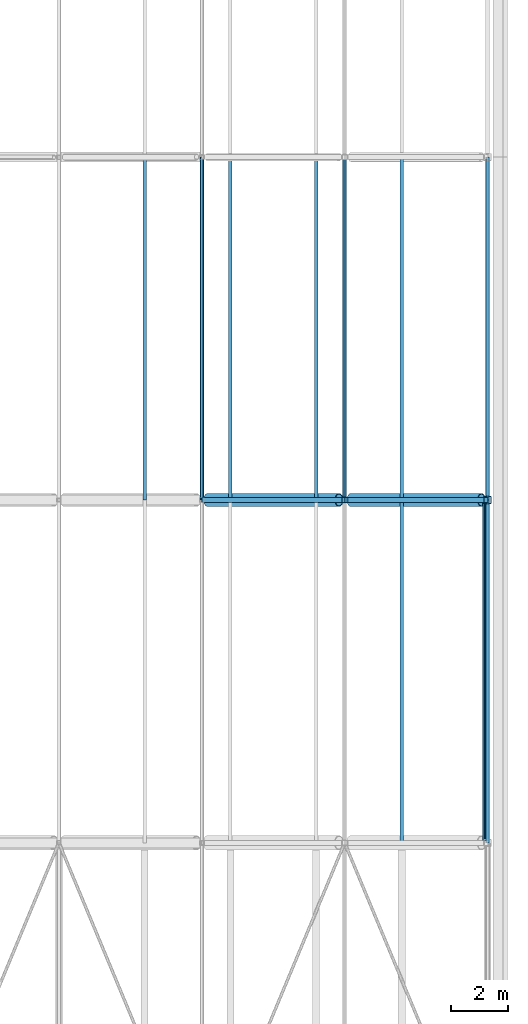
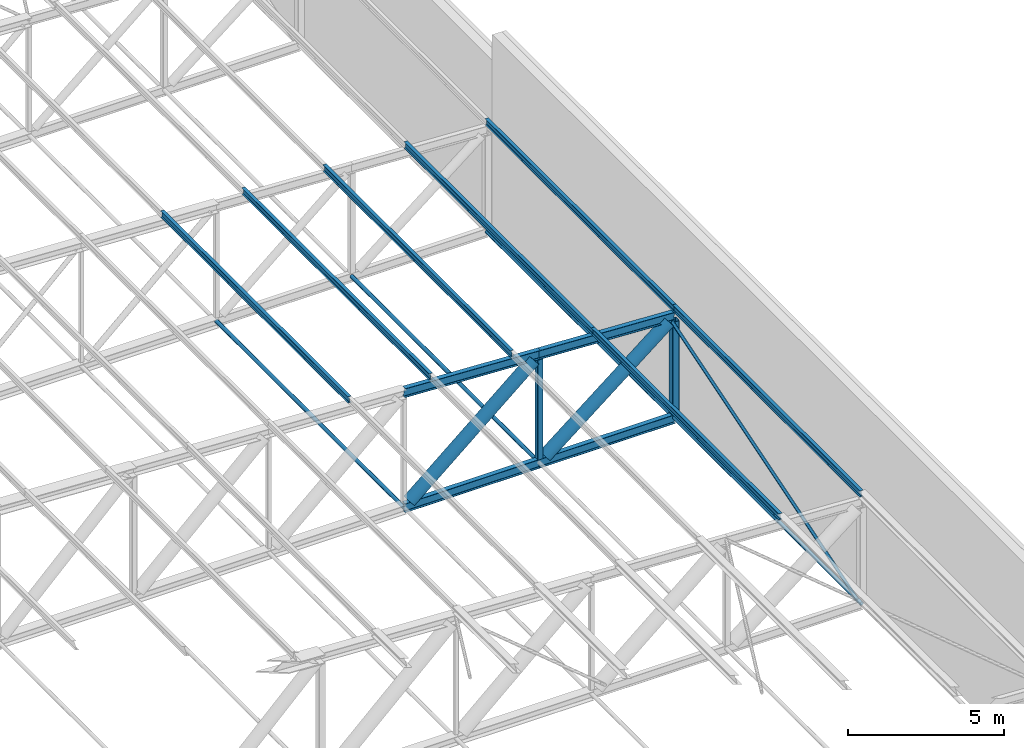
# One storey, part 87 of 156: 20 members.
"""IFC4 building model written with IfcOpenShell, lengths in metres."""

from ifc_helpers import new_model, si_unit, direction, frame, origin, origin_2d, place, context, subcontext, project, spatial, hollow_rectangle, hollow_circle, i_section, extrude, material, material_profile, profile_set, type_object, element, save


model = new_model("IFC4")

# Units and contexts
model_context = context("Model", 3, precision=1e-05, world=origin(), true_north=direction((0.0, 1.0)))
body_context = subcontext(model_context, "Body", "Model", "MODEL_VIEW")
ifc_project = project(units=[si_unit("LENGTHUNIT", "METRE"), si_unit("AREAUNIT", "SQUARE_METRE"), si_unit("VOLUMEUNIT", "CUBIC_METRE"), si_unit("PLANEANGLEUNIT", "RADIAN"), si_unit("MASSUNIT", "GRAM", prefix="KILO")], contexts=[model_context])

# Site, building, storey
site_placement = place(None, origin())
site = spatial("IfcSite", under=ifc_project, at=site_placement, CompositionType="ELEMENT")
building_placement = place(site_placement, origin())
building = spatial("IfcBuilding", under=site, at=building_placement, Name="Lilac Gate Convention Centre", CompositionType="ELEMENT")
storey_placement = place(building_placement, frame((0.0, 0.0, 17.0)))
storey = spatial("IfcBuildingStorey", under=building, at=storey_placement, Name="L03", CompositionType="ELEMENT", Elevation=17.0)

# Members
ifc_material = material(Name="Steel Q355B", Category="steel")
ifc_material_profile_1 = material_profile(ifc_material, hollow_circle(Radius=0.06982421875, WallThickness=0.0048828125, at=origin_2d()), Name="CHS139.7x5")
ifc_profile_set_1 = profile_set([ifc_material_profile_1], Name="Steel Q355B")
member_type_1 = type_object("IfcMemberType", Name="Bottom chord tie CHS139.7x5", PredefinedType="STRUT", material=ifc_profile_set_1)
for number, where, z_axis, x_axis, name in (
    (1, (90.0, 138.00341796875, 0.0), (0.0, 1.0, 0.0), (-1.0, 0.0, 0.0), "ST1 tie bay 10 node 13"),
    (2, (80.0, 150.00341796875, 0.0), (0.0, 1.0, 0.0), (-1.0, 0.0, 0.0), "ST1 tie bay 11 node 11"),
    (3, (85.0, 150.00341796875, 0.0), (0.0, 1.0, 0.0), (-1.0, 0.0, 0.0), "ST1 tie bay 11 node 12"),
    (4, (90.0, 150.00341796875, 0.0), (0.0, 1.0, 0.0), (-1.0, 0.0, 0.0), "ST1 tie bay 11 node 13"),
):
    element("IfcMember", number, at=place(storey_placement, frame(where, z_axis=z_axis, x_axis=x_axis)), inside=storey, type_object=member_type_1, Name=name, PredefinedType="STRUT", context=body_context, shape_type="SweptSolid", body=[
        extrude(hollow_circle(Radius=0.06982421875, WallThickness=0.0048828125, at=origin_2d()), origin(), (0.0, 0.0, 1.0), 11.9931640625),
    ])
ifc_material_profile_2 = material_profile(ifc_material, i_section(OverallWidth=0.125, OverallDepth=0.25, WebThickness=0.006103515625, FlangeThickness=0.009033203125, FilletRadius=0.008056640625, at=origin_2d()), Name="HN250x125x6x9")
ifc_profile_set_2 = profile_set([ifc_material_profile_2], Name="Steel Q355B")
member_type_2 = type_object("IfcMemberType", Name="Roof purlin HN250x125x6x9", PredefinedType="PURLIN", material=ifc_profile_set_2)
for number, where, z_axis, x_axis, name in (
    (5, (87.0, 138.0, 4.4501953125), (0.0, 1.0, 0.0), (-1.0, 0.0, 0.0), "PU2 purlin bay 10 line 20"),
    (6, (90.0, 138.0, 4.30029296875), (0.0, 1.0, 0.0), (-1.0, 0.0, 0.0), "PU2 purlin bay 10 line 21"),
    (7, (78.0, 150.0, 4.900146484375), (0.0, 1.0, 0.0), (-1.0, 0.0, 0.0), "PU2 purlin bay 11 line 17"),
    (8, (81.0, 150.0, 4.750244140625), (0.0, 1.0, 0.0), (-1.0, 0.0, 0.0), "PU2 purlin bay 11 line 18"),
    (9, (84.0, 150.0, 4.60009765625), (0.0, 1.0, 0.0), (-1.0, 0.0, 0.0), "PU2 purlin bay 11 line 19"),
    (10, (87.0, 150.0, 4.4501953125), (0.0, 1.0, 0.0), (-1.0, 0.0, 0.0), "PU2 purlin bay 11 line 20"),
    (11, (90.0, 150.0, 4.30029296875), (0.0, 1.0, 0.0), (-1.0, 0.0, 0.0), "PU2 purlin bay 11 line 21"),
):
    element("IfcMember", number, at=place(storey_placement, frame(where, z_axis=z_axis, x_axis=x_axis)), inside=storey, type_object=member_type_2, Name=name, PredefinedType="PURLIN", context=body_context, shape_type="SweptSolid", body=[
        extrude(i_section(OverallWidth=0.125, OverallDepth=0.25, WebThickness=0.006103515625, FlangeThickness=0.009033203125, FilletRadius=0.008056640625, at=origin_2d()), origin(), (0.0, 0.0, 1.0), 12.0),
    ])
ifc_material_profile_3 = material_profile(ifc_material, i_section(OverallWidth=0.175048828125, OverallDepth=0.35009765625, WebThickness=0.007080078125, FlangeThickness=0.010986328125, FilletRadius=0.012939453125, at=origin_2d()), Name="HN350x175x7x11")
ifc_profile_set_3 = profile_set([ifc_material_profile_3], Name="Steel Q355B")
member_type_3 = type_object("IfcMemberType", Name="Truss bottom chord HN350x175x7x11", PredefinedType="CHORD", material=ifc_profile_set_3)
for number, where, z_axis, x_axis, name in (
    (12, (80.0, 150.0, 0.0), (1.0, 0.0, 0.0), (0.0, 1.0, 0.0), "TB1 truss 11 bottom chord 11"),
    (13, (85.0, 150.0, 0.0), (1.0, 0.0, 0.0), (0.0, 1.0, 0.0), "TB1 truss 11 bottom chord 12"),
):
    element("IfcMember", number, at=place(storey_placement, frame(where, z_axis=z_axis, x_axis=x_axis)), inside=storey, type_object=member_type_3, Name=name, PredefinedType="CHORD", context=body_context, shape_type="SweptSolid", body=[
        extrude(i_section(OverallWidth=0.175048828125, OverallDepth=0.35009765625, WebThickness=0.007080078125, FlangeThickness=0.010986328125, FilletRadius=0.012939453125, at=origin_2d()), origin(), (0.0, 0.0, 1.0), 5.0),
    ])
ifc_material_profile_4 = material_profile(ifc_material, hollow_circle(Radius=0.228515625, WallThickness=0.02490234375, at=origin_2d()), Name="CHS457x25")
ifc_profile_set_4 = profile_set([ifc_material_profile_4], Name="Steel Q355B")
member_type_4 = type_object("IfcMemberType", Name="Truss diagonal CHS457x25", PredefinedType="BRACE", material=ifc_profile_set_4)
member_1_placement = place(storey_placement, frame((84.806884765625, 150.0, 4.085693359375), z_axis=(-0.761961263863, 0.0, -0.647622600263), x_axis=(0.0, -1.0, 0.0)))
element("IfcMember", 14, at=member_1_placement, inside=storey, type_object=member_type_4, Name="TW8 truss 11 diagonal 11", PredefinedType="BRACE", context=body_context, shape_type="SweptSolid", body=[
    extrude(hollow_circle(Radius=0.228515625, WallThickness=0.02490234375, at=origin_2d()), origin(), (0.0, 0.0, 1.0), 6.03857421875),
])
member_2_placement = place(storey_placement, frame((89.794677734375, 150.0, 3.835693359375), z_axis=(-0.780876938611, 0.0, -0.624684885959), x_axis=(0.0, -1.0, 0.0)))
element("IfcMember", 15, at=member_2_placement, inside=storey, type_object=member_type_4, Name="TW8 truss 11 diagonal 12", PredefinedType="BRACE", context=body_context, shape_type="SweptSolid", body=[
    extrude(hollow_circle(Radius=0.228515625, WallThickness=0.02490234375, at=origin_2d()), origin(), (0.0, 0.0, 1.0), 5.860107421875),
])
ifc_material_profile_5 = material_profile(ifc_material, i_section(OverallWidth=0.175048828125, OverallDepth=0.35009765625, WebThickness=0.007080078125, FlangeThickness=0.010986328125, FilletRadius=0.012939453125, at=origin_2d()), Name="HN350x175x7x11")
ifc_profile_set_5 = profile_set([ifc_material_profile_5], Name="Steel Q355B")
member_type_5 = type_object("IfcMemberType", Name="Truss top chord HN350x175x7x11", PredefinedType="CHORD", material=ifc_profile_set_5)
for number, where, z_axis, x_axis, name in (
    (16, (80.0, 150.0, 4.5), (0.998752338878, 0.0, -0.049937616944), (0.0, 1.0, 0.0), "TT1 truss 11 top chord 11"),
    (17, (85.0, 150.0, 4.25), (0.998752338878, 0.0, -0.049937616944), (0.0, 1.0, 0.0), "TT1 truss 11 top chord 12"),
):
    element("IfcMember", number, at=place(storey_placement, frame(where, z_axis=z_axis, x_axis=x_axis)), inside=storey, type_object=member_type_5, Name=name, PredefinedType="CHORD", context=body_context, shape_type="SweptSolid", body=[
        extrude(i_section(OverallWidth=0.175048828125, OverallDepth=0.35009765625, WebThickness=0.007080078125, FlangeThickness=0.010986328125, FilletRadius=0.012939453125, at=origin_2d()), origin(), (0.0, 0.0, 1.0), 5.00634765625),
    ])
ifc_material_profile_6 = material_profile(ifc_material, hollow_rectangle(XDim=0.199951171875, YDim=0.199951171875, WallThickness=0.008056640625, InnerFilletRadius=0.011962890625, OuterFilletRadius=0.02001953125, at=origin_2d()), Name="SHS200x200x8")
ifc_profile_set_6 = profile_set([ifc_material_profile_6], Name="Steel Q355B")
member_type_6 = type_object("IfcMemberType", Name="Truss vertical SHS200x200x8", PredefinedType="STRUT", material=ifc_profile_set_6)
member_3_placement = place(storey_placement, frame((85.0, 150.0, 0.175048828125), z_axis=(0.0, 0.0, 1.0), x_axis=(1.0, 0.0, 0.0)))
element("IfcMember", 18, at=member_3_placement, inside=storey, type_object=member_type_6, Name="TV2 truss 11 vertical 12", PredefinedType="STRUT", context=body_context, shape_type="SweptSolid", body=[
    extrude(hollow_rectangle(XDim=0.199951171875, YDim=0.199951171875, WallThickness=0.008056640625, InnerFilletRadius=0.011962890625, OuterFilletRadius=0.02001953125, at=origin_2d()), origin(), (0.0, 0.0, 1.0), 3.899658203125),
])
ifc_material_profile_7 = material_profile(ifc_material, hollow_rectangle(XDim=0.25, YDim=0.25, WallThickness=0.010009765625, InnerFilletRadius=0.014892578125, OuterFilletRadius=0.02490234375, at=origin_2d()), Name="SHS250x250x10")
ifc_profile_set_7 = profile_set([ifc_material_profile_7], Name="Steel Q355B")
member_type_7 = type_object("IfcMemberType", Name="Truss vertical SHS250x250x10", PredefinedType="STRUT", material=ifc_profile_set_7)
member_4_placement = place(storey_placement, frame((90.0, 150.0, 0.175048828125), z_axis=(0.0, 0.0, 1.0), x_axis=(1.0, 0.0, 0.0)))
element("IfcMember", 19, at=member_4_placement, inside=storey, type_object=member_type_7, Name="TV1 truss 11 vertical 13", PredefinedType="STRUT", context=body_context, shape_type="SweptSolid", body=[
    extrude(hollow_rectangle(XDim=0.25, YDim=0.25, WallThickness=0.010009765625, InnerFilletRadius=0.014892578125, OuterFilletRadius=0.02490234375, at=origin_2d()), origin(), (0.0, 0.0, 1.0), 3.649658203125),
])
ifc_material_profile_8 = material_profile(ifc_material, hollow_circle(Radius=0.05712890625, WallThickness=0.006103515625, at=origin_2d()), Name="CHS114.3x6")
ifc_profile_set_8 = profile_set([ifc_material_profile_8], Name="Steel Q355B")
member_type_8 = type_object("IfcMemberType", Name="Vertical bracing CHS114.3x6", PredefinedType="BRACE", material=ifc_profile_set_8)
member_5_placement = place(storey_placement, frame((89.8798828125, 138.08740234375, 0.175048828125), z_axis=(0.0, 0.955386652678, 0.295357992757), x_axis=(-1.0, 0.0, 0.0)))
element("IfcMember", 20, at=member_5_placement, inside=storey, type_object=member_type_8, Name="BR2 vertical bracing bay 10 line 3", PredefinedType="BRACE", context=body_context, shape_type="SweptSolid", body=[
    extrude(hollow_circle(Radius=0.05712890625, WallThickness=0.006103515625, at=origin_2d()), origin(), (0.0, 0.0, 1.0), 12.37744140625),
])

save(model, "model.ifc")
